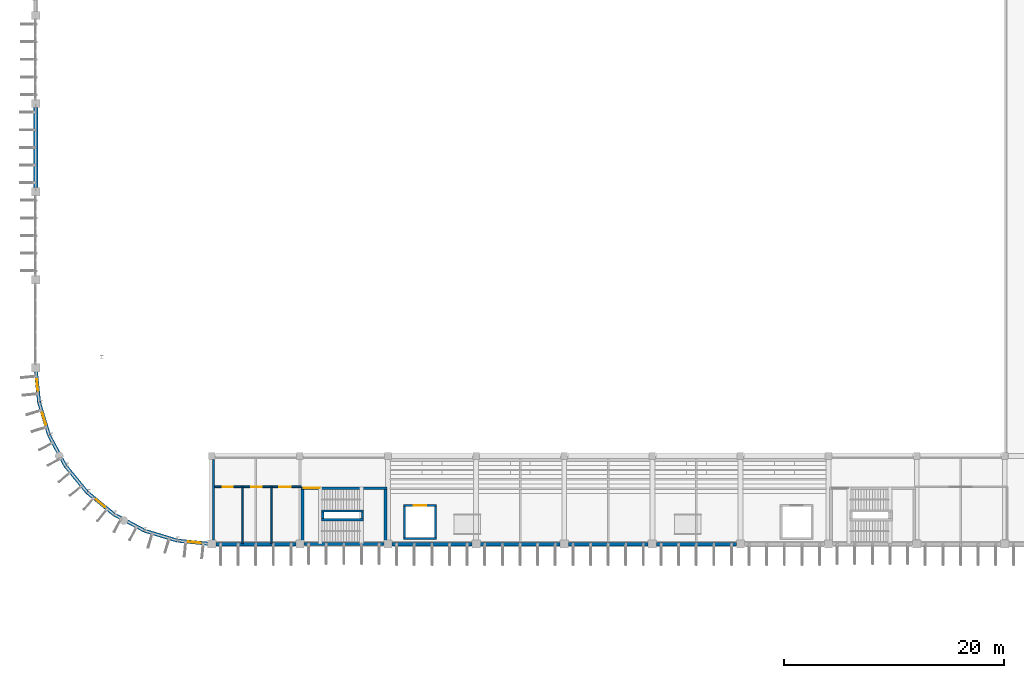
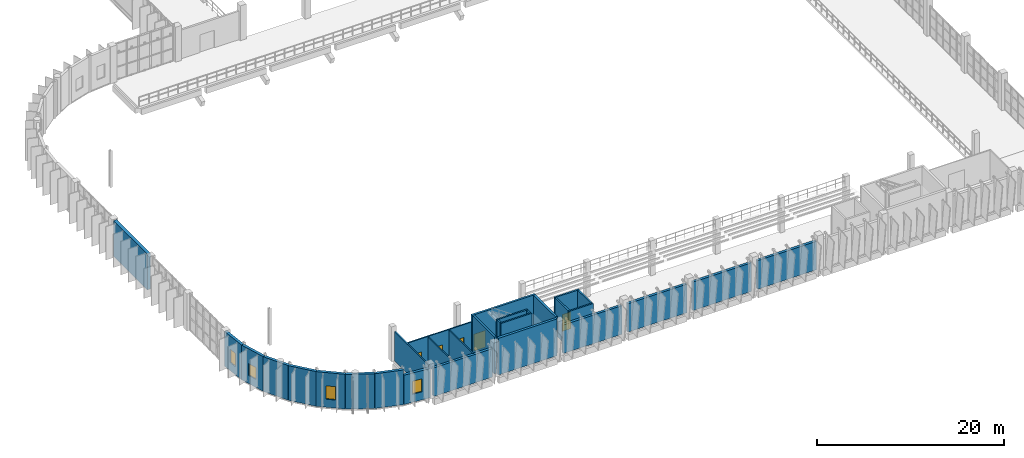
# One storey, part 69 of 93: 30 walls, 5 doors, 4 windows, 9 openings.
"""IFC4 building model written with IfcOpenShell, lengths in metres."""

from ifc_helpers import new_model, si_unit, direction, frame, frame_2d, origin, place, context, subcontext, project, spatial, rectangle, extrude, material, layer, layer_set, type_object, element, fill, save


model = new_model("IFC4")

# Units and contexts
model_context = context("Model", 3, precision=1e-05, world=origin(), true_north=direction((0.0, 1.0)))
body_context = subcontext(model_context, "Body", "Model", "MODEL_VIEW")
ifc_project = project(units=[si_unit("LENGTHUNIT", "METRE"), si_unit("AREAUNIT", "SQUARE_METRE"), si_unit("VOLUMEUNIT", "CUBIC_METRE"), si_unit("PLANEANGLEUNIT", "RADIAN"), si_unit("MASSUNIT", "GRAM", prefix="KILO")], contexts=[model_context])

# Site, building, storey
site_placement = place(None, origin())
site = spatial("IfcSite", under=ifc_project, at=site_placement, CompositionType="ELEMENT")
building_placement = place(site_placement, origin())
building = spatial("IfcBuilding", under=site, at=building_placement, Name="Drelvana Railside Aquatics Centre", CompositionType="ELEMENT")
storey_placement = place(building_placement, frame((0.0, 0.0, 5.39990234375)))
storey = spatial("IfcBuildingStorey", under=building, at=storey_placement, Name="L01", CompositionType="ELEMENT", Elevation=5.39990234375)

# Wall, opening, door
ifc_material_1 = material(Name="Concrete C40/50", Category="concrete")
ifc_layer_1 = layer(ifc_material_1, 0.25, Name="Concrete C40/50")
ifc_layer_set_1 = layer_set([ifc_layer_1], Name="Concrete C40/50")
wall_type_1 = type_object("IfcWallType", Name="WL-CORE-250", PredefinedType="SHEAR", material=ifc_layer_set_1)
wall_1_placement = place(storey_placement, frame((24.10009765625, 21.074951171875, 0.0), z_axis=(0.0, 0.0, 1.0), x_axis=(1.0, 0.0, 0.0)))
wall_1 = element("IfcWall", 1, at=wall_1_placement, inside=storey, type_object=wall_type_1, Name="Core 1 South-West Pool Hall N core wall (L01)", PredefinedType="SHEAR", context=body_context, shape_type="SweptSolid", body=[
    extrude(rectangle(XDim=7.7998046875, YDim=0.25, at=frame_2d((3.89990234375, 0.0))), origin(), (0.0, 0.0, 1.0), 4.800048828125),
])
opening_1_placement = place(wall_1_placement, frame((0.25, 0.0, 0.0)))
opening_1 = element("IfcOpeningElement", 2, at=opening_1_placement, cuts=wall_1, Name="Opening D-01-003", PredefinedType="OPENING", context=body_context, shape_type="SweptSolid", body=[
    extrude(rectangle(XDim=1.449951171875, YDim=2.199951171875, at=frame_2d((0.72509765625, 1.10009765625))), frame((0.0, 0.135009765625, 0.0), z_axis=(0.0, -1.0, 0.0), x_axis=(1.0, 0.0, 0.0)), (0.0, 0.0, 1.0), 0.27001953125),
])
ifc_material_2 = material(Name="Fire-rated steel and vision-panel door", Category="steel")
door_type_1 = type_object("IfcDoorType", Name="DR-INT-STAIR-1450x2200", OperationType="DOUBLE_DOOR_SINGLE_SWING", PredefinedType="DOOR", material=ifc_material_2)
door_1_placement = place(opening_1_placement, origin())
door_1 = element("IfcDoor", 3, at=door_1_placement, inside=storey, type_object=door_type_1, Name="Stair ST-01 lobby door D-01-003", OperationType="DOUBLE_DOOR_SINGLE_SWING", OverallHeight=2.199951171875, OverallWidth=1.449951171875, PredefinedType="DOOR", context=body_context, shape_type="SweptSolid", body=[
    extrude(rectangle(XDim=1.449951171875, YDim=2.199951171875, at=frame_2d((0.72509765625, 1.10009765625))), frame((0.0, 0.02490234375, 0.0), z_axis=(0.0, -1.0, 0.0), x_axis=(1.0, 0.0, 0.0)), (0.0, 0.0, 1.0), 0.050048828125),
])
fill(opening_1, door_1)

# Walls
for number, where, z_axis, x_axis, name in (
    (4, (24.22509765625, 16.25, 0.0), (0.0, 0.0, 1.0), (0.0, 1.0, 0.0), "Core 1 South-West Pool Hall W core wall (L01)"),
    (5, (31.77490234375, 16.25, 0.0), (0.0, 0.0, 1.0), (0.0, 1.0, 0.0), "Core 1 South-West Pool Hall E core wall (L01)"),
):
    element("IfcWall", number, at=place(storey_placement, frame(where, z_axis=z_axis, x_axis=x_axis)), inside=storey, type_object=wall_type_1, Name=name, PredefinedType="SHEAR", context=body_context, shape_type="SweptSolid", body=[
        extrude(rectangle(XDim=4.699951171875, YDim=0.25, at=frame_2d((2.35009765625, 0.0))), origin(), (0.0, 0.0, 1.0), 4.800048828125),
    ])
ifc_layer_2 = layer(ifc_material_1, 0.300048828125, Name="Concrete C40/50")
ifc_layer_set_2 = layer_set([ifc_layer_2], Name="Concrete C40/50")
wall_type_2 = type_object("IfcWallType", Name="WL-CORE-300", PredefinedType="SHEAR", material=ifc_layer_set_2)
wall_2_placement = place(storey_placement, frame((24.37109375, 16.0, 0.0), z_axis=(0.0, 0.0, 1.0), x_axis=(1.0, 0.0, 0.0)))
element("IfcWall", 6, at=wall_2_placement, inside=storey, type_object=wall_type_2, Name="Pool Hall south L01 core shear wall 2", PredefinedType="SHEAR", context=body_context, shape_type="SweptSolid", body=[
    extrude(rectangle(XDim=7.2578125, YDim=0.300048828125, at=frame_2d((3.62890625, 0.0))), origin(), (0.0, 0.0, 1.0), 4.800048828125),
])
ifc_material_3 = material(Name="Terracotta rainscreen masonry wall", Category="masonry")
ifc_layer_3 = layer(ifc_material_3, 0.31005859375, Name="Terracotta rainscreen masonry wall")
ifc_layer_set_3 = layer_set([ifc_layer_3], Name="Terracotta rainscreen masonry wall")
wall_type_3 = type_object("IfcWallType", Name="WL-EXT-310", PredefinedType="STANDARD", material=ifc_layer_set_3)
for number, where, z_axis, x_axis, name in (
    (7, (16.37109375, 16.0, 0.0), (0.0, 0.0, 1.0), (1.0, 0.0, 0.0), "V1S L01 eyelid spandrel wall 1"),
    (8, (32.37109375, 16.0, 0.0), (0.0, 0.0, 1.0), (1.0, 0.0, 0.0), "V1S L01 eyelid spandrel wall 3"),
    (9, (40.37109375, 16.0, 0.0), (0.0, 0.0, 1.0), (1.0, 0.0, 0.0), "V1S L01 eyelid spandrel wall 4"),
    (10, (48.37109375, 16.0, 0.0), (0.0, 0.0, 1.0), (1.0, 0.0, 0.0), "V1S L01 eyelid spandrel wall 5"),
    (11, (56.37109375, 16.0, 0.0), (0.0, 0.0, 1.0), (1.0, 0.0, 0.0), "V1S L01 eyelid spandrel wall 6"),
):
    element("IfcWall", number, at=place(storey_placement, frame(where, z_axis=z_axis, x_axis=x_axis)), inside=storey, type_object=wall_type_3, Name=name, PredefinedType="STANDARD", context=body_context, shape_type="SweptSolid", body=[
        extrude(rectangle(XDim=7.2578125, YDim=0.31005859375, at=frame_2d((3.62890625, 0.0))), origin(), (0.0, 0.0, 1.0), 3.72998046875),
    ])

# Wall, opening, window
ifc_material_4 = material(Name="Abuja granite ashlar cavity wall", Category="masonry")
ifc_layer_4 = layer(ifc_material_4, 0.330078125, Name="Abuja granite ashlar cavity wall")
ifc_layer_set_4 = layer_set([ifc_layer_4], Name="Abuja granite ashlar cavity wall")
wall_type_4 = type_object("IfcWallType", Name="WL-EXT-330", PredefinedType="STANDARD", material=ifc_layer_set_4)
wall_3_placement = place(storey_placement, frame((0.0, 32.0, 0.0), z_axis=(0.0, 0.0, 1.0), x_axis=(0.098000751113, -0.995186340733, 0.0)))
wall_3 = element("IfcWall", 12, at=wall_3_placement, inside=storey, type_object=wall_type_4, Name="V1SW curved stone wall 1", PredefinedType="STANDARD", context=body_context, shape_type="SweptSolid", body=[
    extrude(rectangle(XDim=3.136474609375, YDim=0.330078125, at=frame_2d((1.568359375, 0.0))), origin(), (0.0, 0.0, 1.0), 4.530029296875),
])
opening_2_placement = place(wall_3_placement, frame((1.043212890625, 0.0, 1.050048828125)))
opening_2 = element("IfcOpeningElement", 13, at=opening_2_placement, cuts=wall_3, Name="Opening W-05", PredefinedType="OPENING", context=body_context, shape_type="SweptSolid", body=[
    extrude(rectangle(XDim=1.050048828125, YDim=1.75, at=frame_2d((0.52490234375, 0.875))), frame((0.0, 0.175048828125, 0.0), z_axis=(0.0, -1.0, 0.0), x_axis=(1.0, 0.0, 0.0)), (0.0, 0.0, 1.0), 0.35009765625),
])
ifc_material_5 = material(Name="Double-glazed solar-control aluminium window", Category="aluminium")
window_type_1 = type_object("IfcWindowType", Name="WIN-05", PartitioningType="SINGLE_PANEL", PredefinedType="WINDOW", material=ifc_material_5)
window_1_placement = place(opening_2_placement, origin())
window_1 = element("IfcWindow", 14, at=window_1_placement, inside=storey, type_object=window_type_1, Name="Curved corner window WIN-05", OverallHeight=1.75, OverallWidth=1.050048828125, PartitioningType="SINGLE_PANEL", PredefinedType="WINDOW", context=body_context, shape_type="SweptSolid", body=[
    extrude(rectangle(XDim=1.050048828125, YDim=1.75, at=frame_2d((0.52490234375, 0.875))), frame((0.0, 0.030029296875, 0.0), z_axis=(0.0, -1.0, 0.0), x_axis=(1.0, 0.0, 0.0)), (0.0, 0.0, 1.0), 0.06005859375),
])
fill(opening_2, window_1)

wall_4_placement = place(storey_placement, frame((0.307373046875, 28.878662109375, 0.0), z_axis=(0.0, 0.0, 1.0), x_axis=(0.29030980253, -0.956932713703, 0.0)))
wall_4 = element("IfcWall", 15, at=wall_4_placement, inside=storey, type_object=wall_type_4, Name="V1SW curved stone wall 2", PredefinedType="STANDARD", context=body_context, shape_type="SweptSolid", body=[
    extrude(rectangle(XDim=3.13671875, YDim=0.330078125, at=frame_2d((1.568359375, 0.0))), origin(), (0.0, 0.0, 1.0), 4.530029296875),
])
opening_3_placement = place(wall_4_placement, frame((1.018310546875, 0.0, 1.050048828125)))
opening_3 = element("IfcOpeningElement", 16, at=opening_3_placement, cuts=wall_4, Name="Opening W-06", PredefinedType="OPENING", context=body_context, shape_type="SweptSolid", body=[
    extrude(rectangle(XDim=1.10009765625, YDim=1.550048828125, at=frame_2d((0.550048828125, 0.77490234375))), frame((0.0, 0.175048828125, 0.0), z_axis=(0.0, -1.0, 0.0), x_axis=(1.0, 0.0, 0.0)), (0.0, 0.0, 1.0), 0.35009765625),
])
window_type_2 = type_object("IfcWindowType", Name="WIN-06", PartitioningType="SINGLE_PANEL", PredefinedType="WINDOW", material=ifc_material_5)
window_2_placement = place(opening_3_placement, origin())
window_2 = element("IfcWindow", 17, at=window_2_placement, inside=storey, type_object=window_type_2, Name="Curved corner window WIN-06", OverallHeight=1.550048828125, OverallWidth=1.10009765625, PartitioningType="SINGLE_PANEL", PredefinedType="WINDOW", context=body_context, shape_type="SweptSolid", body=[
    extrude(rectangle(XDim=1.10009765625, YDim=1.550048828125, at=frame_2d((0.550048828125, 0.77490234375))), frame((0.0, 0.030029296875, 0.0), z_axis=(0.0, -1.0, 0.0), x_axis=(1.0, 0.0, 0.0)), (0.0, 0.0, 1.0), 0.06005859375),
])
fill(opening_3, window_2)

# Walls
for number, where, z_axis, x_axis, name in (
    (18, (1.218017578125, 25.876953125, 0.0), (0.0, 0.0, 1.0), (0.471396060548, -0.881921625826, 0.0), "V1SW curved stone wall 3"),
    (19, (2.696533203125, 23.11083984375, 0.0), (0.0, 0.0, 1.0), (0.634385792339, -0.773016601683, 0.0), "V1SW curved stone wall 4"),
):
    element("IfcWall", number, at=place(storey_placement, frame(where, z_axis=z_axis, x_axis=x_axis)), inside=storey, type_object=wall_type_4, Name=name, PredefinedType="STANDARD", context=body_context, shape_type="SweptSolid", body=[
        extrude(rectangle(XDim=3.136474609375, YDim=0.330078125, at=frame_2d((1.568359375, 0.0))), origin(), (0.0, 0.0, 1.0), 4.530029296875),
    ])

# Wall, opening, window
wall_5_placement = place(storey_placement, frame((4.686279296875, 20.686279296875, 0.0), z_axis=(0.0, 0.0, 1.0), x_axis=(0.773016601683, -0.634385792339, 0.0)))
wall_5 = element("IfcWall", 20, at=wall_5_placement, inside=storey, type_object=wall_type_4, Name="V1SW curved stone wall 5", PredefinedType="STANDARD", context=body_context, shape_type="SweptSolid", body=[
    extrude(rectangle(XDim=3.136474609375, YDim=0.330078125, at=frame_2d((1.568359375, 0.0))), origin(), (0.0, 0.0, 1.0), 4.530029296875),
])
opening_4_placement = place(wall_5_placement, frame((1.043212890625, 0.0, 1.050048828125)))
opening_4 = element("IfcOpeningElement", 21, at=opening_4_placement, cuts=wall_5, Name="Opening W-05", PredefinedType="OPENING", context=body_context, shape_type="SweptSolid", body=[
    extrude(rectangle(XDim=1.050048828125, YDim=1.75, at=frame_2d((0.52490234375, 0.875))), frame((0.0, 0.175048828125, 0.0), z_axis=(0.0, -1.0, 0.0), x_axis=(1.0, 0.0, 0.0)), (0.0, 0.0, 1.0), 0.35009765625),
])
window_3_placement = place(opening_4_placement, origin())
window_3 = element("IfcWindow", 22, at=window_3_placement, inside=storey, type_object=window_type_1, Name="Curved corner window WIN-05", OverallHeight=1.75, OverallWidth=1.050048828125, PartitioningType="SINGLE_PANEL", PredefinedType="WINDOW", context=body_context, shape_type="SweptSolid", body=[
    extrude(rectangle(XDim=1.050048828125, YDim=1.75, at=frame_2d((0.52490234375, 0.875))), frame((0.0, 0.030029296875, 0.0), z_axis=(0.0, -1.0, 0.0), x_axis=(1.0, 0.0, 0.0)), (0.0, 0.0, 1.0), 0.06005859375),
])
fill(opening_4, window_3)

# Walls
wall_6_placement = place(storey_placement, frame((7.11083984375, 18.696533203125, 0.0), z_axis=(0.0, 0.0, 1.0), x_axis=(0.881921625826, -0.471396060548, 0.0)))
element("IfcWall", 23, at=wall_6_placement, inside=storey, type_object=wall_type_4, Name="V1SW curved stone wall 6", PredefinedType="STANDARD", context=body_context, shape_type="SweptSolid", body=[
    extrude(rectangle(XDim=3.136474609375, YDim=0.330078125, at=frame_2d((1.568359375, 0.0))), origin(), (0.0, 0.0, 1.0), 4.530029296875),
])
wall_7_placement = place(storey_placement, frame((9.876953125, 17.218017578125, 0.0), z_axis=(0.0, 0.0, 1.0), x_axis=(0.956932713703, -0.29030980253, 0.0)))
element("IfcWall", 24, at=wall_7_placement, inside=storey, type_object=wall_type_4, Name="V1SW curved stone wall 7", PredefinedType="STANDARD", context=body_context, shape_type="SweptSolid", body=[
    extrude(rectangle(XDim=3.13671875, YDim=0.330078125, at=frame_2d((1.568359375, 0.0))), origin(), (0.0, 0.0, 1.0), 4.530029296875),
])

# Wall, opening, window
wall_8_placement = place(storey_placement, frame((12.878662109375, 16.307373046875, 0.0), z_axis=(0.0, 0.0, 1.0), x_axis=(0.995186340733, -0.098000751113, 0.0)))
wall_8 = element("IfcWall", 25, at=wall_8_placement, inside=storey, type_object=wall_type_4, Name="V1SW curved stone wall 8", PredefinedType="STANDARD", context=body_context, shape_type="SweptSolid", body=[
    extrude(rectangle(XDim=3.136474609375, YDim=0.330078125, at=frame_2d((1.568359375, 0.0))), origin(), (0.0, 0.0, 1.0), 3.830078125),
])
opening_5_placement = place(wall_8_placement, frame((0.993408203125, 0.0, 1.050048828125)))
opening_5 = element("IfcOpeningElement", 26, at=opening_5_placement, cuts=wall_8, Name="Opening W-08", PredefinedType="OPENING", context=body_context, shape_type="SweptSolid", body=[
    extrude(rectangle(XDim=1.14990234375, YDim=1.699951171875, at=frame_2d((0.574951171875, 0.85009765625))), frame((0.0, 0.175048828125, 0.0), z_axis=(0.0, -1.0, 0.0), x_axis=(1.0, 0.0, 0.0)), (0.0, 0.0, 1.0), 0.35009765625),
])
window_type_3 = type_object("IfcWindowType", Name="WIN-08", PartitioningType="SINGLE_PANEL", PredefinedType="WINDOW", material=ifc_material_5)
window_4_placement = place(opening_5_placement, origin())
window_4 = element("IfcWindow", 27, at=window_4_placement, inside=storey, type_object=window_type_3, Name="Curved corner window WIN-08", OverallHeight=1.699951171875, OverallWidth=1.14990234375, PartitioningType="SINGLE_PANEL", PredefinedType="WINDOW", context=body_context, shape_type="SweptSolid", body=[
    extrude(rectangle(XDim=1.14990234375, YDim=1.699951171875, at=frame_2d((0.574951171875, 0.85009765625))), frame((0.0, 0.030029296875, 0.0), z_axis=(0.0, -1.0, 0.0), x_axis=(1.0, 0.0, 0.0)), (0.0, 0.0, 1.0), 0.06005859375),
])
fill(opening_5, window_4)

# Walls
ifc_material_6 = material(Name="Heavy thermal-mass stone facade wall", Category="masonry")
ifc_layer_5 = layer(ifc_material_6, 0.389892578125, Name="Heavy thermal-mass stone facade wall")
ifc_layer_set_5 = layer_set([ifc_layer_5], Name="Heavy thermal-mass stone facade wall")
wall_type_5 = type_object("IfcWallType", Name="WL-EXT-390", PredefinedType="STANDARD", material=ifc_layer_set_5)
wall_9_placement = place(storey_placement, frame((0.0, 48.37109375, 0.0), z_axis=(0.0, 0.0, 1.0), x_axis=(0.0, 1.0, 0.0)))
element("IfcWall", 28, at=wall_9_placement, inside=storey, type_object=wall_type_5, Name="V1 West solid masonry bay 48", PredefinedType="STANDARD", context=body_context, shape_type="SweptSolid", body=[
    extrude(rectangle(XDim=7.2578125, YDim=0.389892578125, at=frame_2d((3.62890625, 0.0))), origin(), (0.0, 0.0, 1.0), 4.650146484375),
])
ifc_layer_6 = layer(ifc_material_1, 0.199951171875, Name="Concrete C40/50")
ifc_layer_set_6 = layer_set([ifc_layer_6], Name="Concrete C40/50")
wall_type_6 = type_object("IfcWallType", Name="WL-SHFT-200", PredefinedType="SHEAR", material=ifc_layer_set_6)
for number, where, z_axis, x_axis, name in (
    (29, (25.969970703125, 18.199951171875, 0.0), (0.0, 0.0, 1.0), (1.0, 0.0, 0.0), "Stair ST-01 central spine wall A (L01)"),
    (30, (25.969970703125, 19.0, 0.0), (0.0, 0.0, 1.0), (1.0, 0.0, 0.0), "Stair ST-01 central spine wall B (L01)"),
):
    element("IfcWall", number, at=place(storey_placement, frame(where, z_axis=z_axis, x_axis=x_axis)), inside=storey, type_object=wall_type_6, Name=name, PredefinedType="SHEAR", context=body_context, shape_type="SweptSolid", body=[
        extrude(rectangle(XDim=3.820068359375, YDim=0.199951171875, at=frame_2d((1.91015625, 0.0))), origin(), (0.0, 0.0, 1.0), 4.800048828125),
    ])
for number, where, z_axis, x_axis, name in (
    (31, (26.070068359375, 18.300048828125, 0.0), (0.0, 0.0, 1.0), (0.0, 1.0, 0.0), "Stair ST-01 central spine wall W (L01)"),
    (32, (29.68994140625, 18.300048828125, 0.0), (0.0, 0.0, 1.0), (0.0, 1.0, 0.0), "Stair ST-01 central spine wall E (L01)"),
):
    element("IfcWall", number, at=place(storey_placement, frame(where, z_axis=z_axis, x_axis=x_axis)), inside=storey, type_object=wall_type_6, Name=name, PredefinedType="SHEAR", context=body_context, shape_type="SweptSolid", body=[
        extrude(rectangle(XDim=0.599853515625, YDim=0.199951171875, at=frame_2d((0.2998046875, 0.0))), origin(), (0.0, 0.0, 1.0), 4.800048828125),
    ])
wall_10_placement = place(storey_placement, frame((33.39990234375, 16.5, 0.0), z_axis=(0.0, 0.0, 1.0), x_axis=(1.0, 0.0, 0.0)))
element("IfcWall", 33, at=wall_10_placement, inside=storey, type_object=wall_type_6, Name="Lift LP-01 S shaft wall (L01)", PredefinedType="SHEAR", context=body_context, shape_type="SweptSolid", body=[
    extrude(rectangle(XDim=3.0, YDim=0.199951171875, at=frame_2d((1.5, 0.0))), origin(), (0.0, 0.0, 1.0), 4.800048828125),
])

# Wall, opening, door
wall_11_placement = place(storey_placement, frame((33.39990234375, 19.5, 0.0), z_axis=(0.0, 0.0, 1.0), x_axis=(1.0, 0.0, 0.0)))
wall_11 = element("IfcWall", 34, at=wall_11_placement, inside=storey, type_object=wall_type_6, Name="Lift LP-01 N shaft wall (L01)", PredefinedType="SHEAR", context=body_context, shape_type="SweptSolid", body=[
    extrude(rectangle(XDim=3.0, YDim=0.199951171875, at=frame_2d((1.5, 0.0))), origin(), (0.0, 0.0, 1.0), 4.800048828125),
])
opening_6_placement = place(wall_11_placement, frame((0.949951171875, 0.0, 0.0)))
opening_6 = element("IfcOpeningElement", 35, at=opening_6_placement, cuts=wall_11, Name="Opening LD-01-007", PredefinedType="OPENING", context=body_context, shape_type="SweptSolid", body=[
    extrude(rectangle(XDim=1.10009765625, YDim=2.199951171875, at=frame_2d((0.550048828125, 1.10009765625))), frame((0.0, 0.10986328125, 0.0), z_axis=(0.0, -1.0, 0.0), x_axis=(1.0, 0.0, 0.0)), (0.0, 0.0, 1.0), 0.219970703125),
])
ifc_material_7 = material(Name="Stainless steel lift landing sliding door", Category="steel")
door_type_2 = type_object("IfcDoorType", Name="DR-LIFT-LD-1100x2200", OperationType="SLIDING_TO_LEFT", PredefinedType="DOOR", material=ifc_material_7)
door_2_placement = place(opening_6_placement, origin())
door_2 = element("IfcDoor", 36, at=door_2_placement, inside=storey, type_object=door_type_2, Name="Lift LP-01 landing door LD-01-007", OperationType="SLIDING_TO_LEFT", OverallHeight=2.199951171875, OverallWidth=1.10009765625, PredefinedType="DOOR", context=body_context, shape_type="SweptSolid", body=[
    extrude(rectangle(XDim=1.10009765625, YDim=2.199951171875, at=frame_2d((0.550048828125, 1.10009765625))), frame((0.0, 0.02490234375, 0.0), z_axis=(0.0, -1.0, 0.0), x_axis=(1.0, 0.0, 0.0)), (0.0, 0.0, 1.0), 0.050048828125),
])
fill(opening_6, door_2)

# Walls
for number, where, z_axis, x_axis, name in (
    (37, (33.5, 16.60009765625, 0.0), (0.0, 0.0, 1.0), (0.0, 1.0, 0.0), "Lift LP-01 W shaft wall (L01)"),
    (38, (36.300048828125, 16.60009765625, 0.0), (0.0, 0.0, 1.0), (0.0, 1.0, 0.0), "Lift LP-01 E shaft wall (L01)"),
):
    element("IfcWall", number, at=place(storey_placement, frame(where, z_axis=z_axis, x_axis=x_axis)), inside=storey, type_object=wall_type_6, Name=name, PredefinedType="SHEAR", context=body_context, shape_type="SweptSolid", body=[
        extrude(rectangle(XDim=2.7998046875, YDim=0.199951171875, at=frame_2d((1.39990234375, 0.0))), origin(), (0.0, 0.0, 1.0), 4.800048828125),
    ])
ifc_material_8 = material(Name="Moisture-resistant tiled plumbing chase wall", Category="masonry")
ifc_layer_7 = layer(ifc_material_8, 0.139892578125, Name="Moisture-resistant tiled plumbing chase wall")
ifc_layer_set_7 = layer_set([ifc_layer_7], Name="Moisture-resistant tiled plumbing chase wall")
wall_type_7 = type_object("IfcWallType", Name="WL-WET-140", PredefinedType="PLUMBINGWALL", material=ifc_layer_set_7)
for number, where, z_axis, x_axis, name in (
    (39, (18.800048828125, 16.050048828125, 0.0), (0.0, 0.0, 1.0), (0.0, 1.0, 0.0), "L01 Concourse WC divider"),
    (40, (21.39990234375, 16.050048828125, 0.0), (0.0, 0.0, 1.0), (0.0, 1.0, 0.0), "L01 Concourse WC divider"),
):
    element("IfcWall", number, at=place(storey_placement, frame(where, z_axis=z_axis, x_axis=x_axis)), inside=storey, type_object=wall_type_7, Name=name, PredefinedType="PLUMBINGWALL", context=body_context, shape_type="SweptSolid", body=[
        extrude(rectangle(XDim=5.14990234375, YDim=0.139892578125, at=frame_2d((2.574951171875, 0.0))), origin(), (0.0, 0.0, 1.0), 3.72998046875),
    ])

# Wall, openings, doors
ifc_material_9 = material(Name="Water-resistant ceramic-tiled block partition", Category="masonry")
ifc_layer_8 = layer(ifc_material_9, 0.159912109375, Name="Water-resistant ceramic-tiled block partition")
ifc_layer_set_8 = layer_set([ifc_layer_8], Name="Water-resistant ceramic-tiled block partition")
wall_type_8 = type_object("IfcWallType", Name="WL-WET-160", PredefinedType="PARTITIONING", material=ifc_layer_set_8)
wall_12_placement = place(storey_placement, frame((16.14990234375, 21.199951171875, 0.0), z_axis=(0.0, 0.0, 1.0), x_axis=(1.0, 0.0, 0.0)))
wall_12 = element("IfcWall", 41, at=wall_12_placement, inside=storey, type_object=wall_type_8, Name="L01 Concourse WC north wall", PredefinedType="PARTITIONING", context=body_context, shape_type="SweptSolid", body=[
    extrude(rectangle(XDim=7.9501953125, YDim=0.159912109375, at=frame_2d((3.97509765625, 0.0))), origin(), (0.0, 0.0, 1.0), 3.830078125),
])
opening_7_placement = place(wall_12_placement, frame((0.85009765625, 0.0, 0.0)))
opening_7 = element("IfcOpeningElement", 42, at=opening_7_placement, cuts=wall_12, Name="Opening D-11-143", PredefinedType="OPENING", context=body_context, shape_type="SweptSolid", body=[
    extrude(rectangle(XDim=0.919921875, YDim=2.10009765625, at=frame_2d((0.4599609375, 1.050048828125))), frame((0.0, 0.08984375, 0.0), z_axis=(0.0, -1.0, 0.0), x_axis=(1.0, 0.0, 0.0)), (0.0, 0.0, 1.0), 0.179931640625),
])
opening_8_placement = place(wall_12_placement, frame((3.449951171875, 0.0, 0.0)))
opening_8 = element("IfcOpeningElement", 43, at=opening_8_placement, cuts=wall_12, Name="Opening D-11-144", PredefinedType="OPENING", context=body_context, shape_type="SweptSolid", body=[
    extrude(rectangle(XDim=0.919921875, YDim=2.10009765625, at=frame_2d((0.4599609375, 1.050048828125))), frame((0.0, 0.08984375, 0.0), z_axis=(0.0, -1.0, 0.0), x_axis=(1.0, 0.0, 0.0)), (0.0, 0.0, 1.0), 0.179931640625),
])
opening_9_placement = place(wall_12_placement, frame((5.949951171875, 0.0, 0.0)))
opening_9 = element("IfcOpeningElement", 44, at=opening_9_placement, cuts=wall_12, Name="Opening D-12-145", PredefinedType="OPENING", context=body_context, shape_type="SweptSolid", body=[
    extrude(rectangle(XDim=1.050048828125, YDim=2.14990234375, at=frame_2d((0.52490234375, 1.074951171875))), frame((0.0, 0.08984375, 0.0), z_axis=(0.0, -1.0, 0.0), x_axis=(1.0, 0.0, 0.0)), (0.0, 0.0, 1.0), 0.179931640625),
])
ifc_material_10 = material(Name="Accessible toilet outward-opening door", Category="wood")
door_type_3 = type_object("IfcDoorType", Name="DR-INT-AWC-1050x2150", OperationType="NOTDEFINED", PredefinedType="DOOR", material=ifc_material_10)
door_3_placement = place(opening_9_placement, origin())
door_3 = element("IfcDoor", 45, at=door_3_placement, inside=storey, type_object=door_type_3, Name="Concourse Accessible WC door D-12-145", OperationType="SINGLE_SWING_RIGHT", OverallHeight=2.14990234375, OverallWidth=1.050048828125, PredefinedType="DOOR", context=body_context, shape_type="SweptSolid", body=[
    extrude(rectangle(XDim=1.050048828125, YDim=2.14990234375, at=frame_2d((0.52490234375, 1.074951171875))), frame((0.0, 0.02490234375, 0.0), z_axis=(0.0, -1.0, 0.0), x_axis=(1.0, 0.0, 0.0)), (0.0, 0.0, 1.0), 0.050048828125),
])
fill(opening_9, door_3)
ifc_material_11 = material(Name="Moisture-resistant laminate WC door", Category="wood")
door_type_4 = type_object("IfcDoorType", Name="DR-INT-WC-920x2100", OperationType="NOTDEFINED", PredefinedType="DOOR", material=ifc_material_11)
door_4_placement = place(opening_7_placement, origin())
door_4 = element("IfcDoor", 46, at=door_4_placement, inside=storey, type_object=door_type_4, Name="Concourse Male WC door D-11-143", OperationType="SINGLE_SWING_RIGHT", OverallHeight=2.10009765625, OverallWidth=0.919921875, PredefinedType="DOOR", context=body_context, shape_type="SweptSolid", body=[
    extrude(rectangle(XDim=0.919921875, YDim=2.10009765625, at=frame_2d((0.4599609375, 1.050048828125))), frame((0.0, 0.02490234375, 0.0), z_axis=(0.0, -1.0, 0.0), x_axis=(1.0, 0.0, 0.0)), (0.0, 0.0, 1.0), 0.050048828125),
])
fill(opening_7, door_4)
door_5_placement = place(opening_8_placement, origin())
door_5 = element("IfcDoor", 47, at=door_5_placement, inside=storey, type_object=door_type_4, Name="Concourse Female WC door D-11-144", OperationType="SINGLE_SWING_LEFT", OverallHeight=2.10009765625, OverallWidth=0.919921875, PredefinedType="DOOR", context=body_context, shape_type="SweptSolid", body=[
    extrude(rectangle(XDim=0.919921875, YDim=2.10009765625, at=frame_2d((0.4599609375, 1.050048828125))), frame((0.0, 0.02490234375, 0.0), z_axis=(0.0, -1.0, 0.0), x_axis=(1.0, 0.0, 0.0)), (0.0, 0.0, 1.0), 0.050048828125),
])
fill(opening_8, door_5)

# Wall
wall_13_placement = place(storey_placement, frame((16.14990234375, 16.376953125, 0.0), z_axis=(0.0, 0.0, 1.0), x_axis=(0.0, 1.0, 0.0)))
element("IfcWall", 48, at=wall_13_placement, inside=storey, type_object=wall_type_8, Name="L01 Concourse west end wall", PredefinedType="PARTITIONING", context=body_context, shape_type="SweptSolid", body=[
    extrude(rectangle(XDim=7.321044921875, YDim=0.159912109375, at=frame_2d((3.66064453125, 0.0))), origin(), (0.0, 0.0, 1.0), 3.830078125),
])

save(model, "model.ifc")
